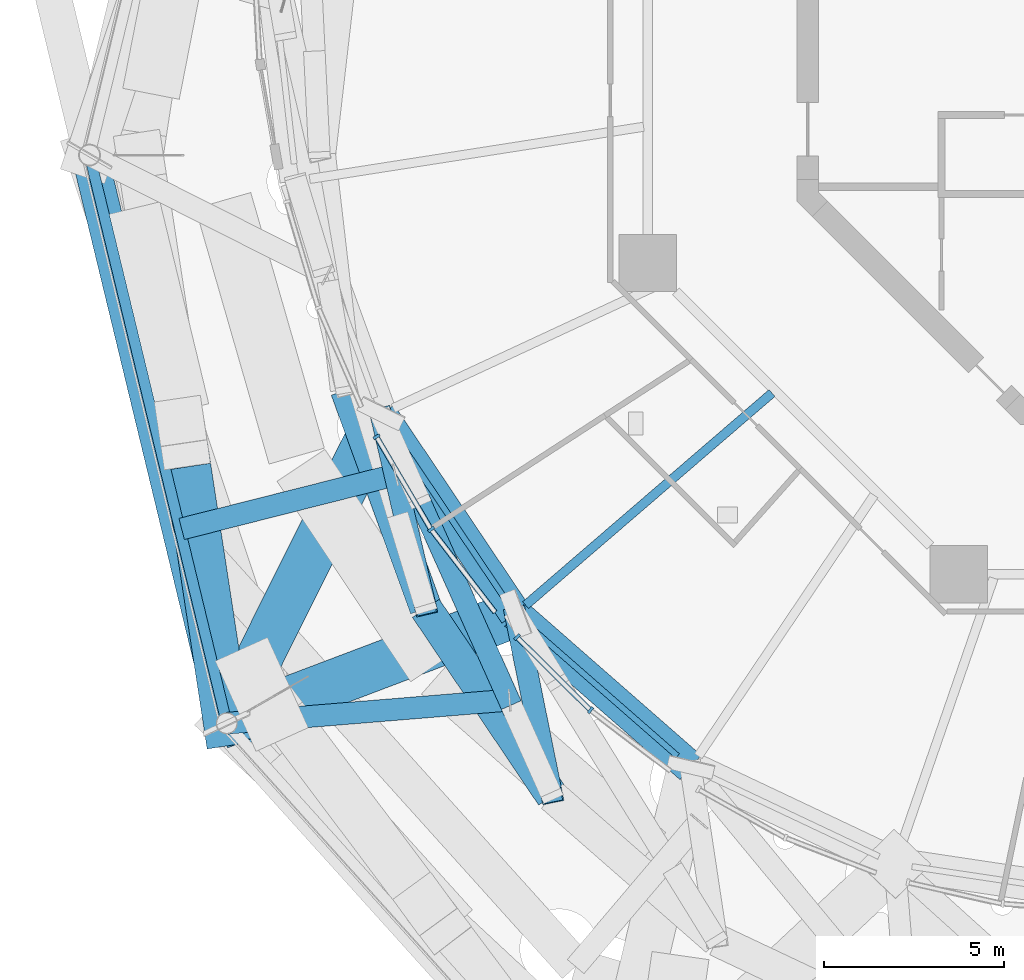
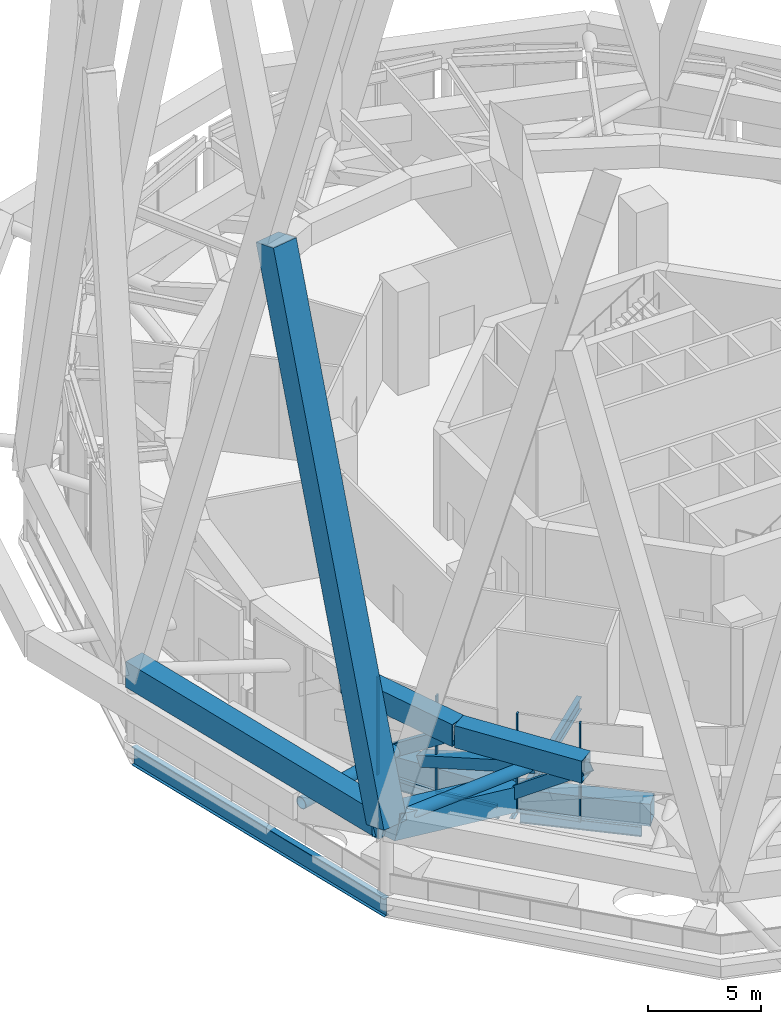
# One storey, part 4 of 48: 13 members, 11 beams, 4 elements without a shape of their own.
"""IFC4 building model written with IfcOpenShell, lengths in metres."""

from ifc_helpers import new_model, si_unit, direction, frame, origin, origin_2d, place, context, subcontext, project, spatial, rectangle, hollow_rectangle, hollow_circle, i_section, extrude, material, layer, layer_set, material_profile, profile_set, type_object, element, aggregate, save


model = new_model("IFC4")

# Units and contexts
model_context = context("Model", 3, precision=1e-05, world=origin(), true_north=direction((0.0, 1.0)))
body_context = subcontext(model_context, "Body", "Model", "MODEL_VIEW")
ifc_project = project(units=[si_unit("LENGTHUNIT", "METRE"), si_unit("AREAUNIT", "SQUARE_METRE"), si_unit("VOLUMEUNIT", "CUBIC_METRE"), si_unit("PLANEANGLEUNIT", "RADIAN"), si_unit("MASSUNIT", "GRAM", prefix="KILO")], contexts=[model_context])

# Site, building, storey
site_placement = place(None, origin())
site = spatial("IfcSite", under=ifc_project, at=site_placement, CompositionType="ELEMENT")
building_placement = place(site_placement, origin())
building = spatial("IfcBuilding", under=site, at=building_placement, Name="Nagisa Residences", CompositionType="ELEMENT")
storey_placement = place(building_placement, frame((0.0, 0.0, 252.89990234375)))
storey = spatial("IfcBuildingStorey", under=building, at=storey_placement, Name="L64", CompositionType="ELEMENT", Elevation=252.89990234375)

# Beams
ifc_material_1 = material(Name="Steel ASTM A572 Gr 50", Category="steel")
ifc_material_profile_1 = material_profile(ifc_material_1, hollow_rectangle(XDim=0.89990234375, YDim=1.199951171875, WallThickness=0.0400390625, at=origin_2d()), Name="BX 900x1200x40")
ifc_profile_set_1 = profile_set([ifc_material_profile_1], Name="Steel ASTM A572 Gr 50")
beam_type_1 = type_object("IfcBeamType", Name="Belt chord 5 BX 900x1200x40", PredefinedType="BEAM", material=ifc_profile_set_1)
beam_1_placement = place(storey_placement, frame((-23.166259765625, -9.650390625, 4.739990234375), z_axis=(0.341213297121, -0.939985896632, 0.0), x_axis=(0.939985896632, 0.341213297121, 0.0)))
element("IfcBeam", 1, at=beam_1_placement, inside=storey, type_object=beam_type_1, Name="beam:L64:bt5t14", PredefinedType="BEAM", context=body_context, shape_type="SweptSolid", body=[
    extrude(hollow_rectangle(XDim=0.89990234375, YDim=1.199951171875, WallThickness=0.0400390625, at=origin_2d()), origin(), (0.0, 0.0, 1.0), 6.47607421875),
])
beam_2_placement = place(storey_placement, frame((-22.212158203125, -10.327392578125, 0.60009765625), z_axis=(0.558086989811, -0.829782448479, 0.0), x_axis=(0.829782448479, 0.558086989811, 0.0)))
element("IfcBeam", 2, at=beam_2_placement, inside=storey, type_object=beam_type_1, Name="beam:L64:bt5b15", PredefinedType="BEAM", context=body_context, shape_type="SweptSolid", body=[
    extrude(hollow_rectangle(XDim=0.89990234375, YDim=1.199951171875, WallThickness=0.0400390625, at=origin_2d()), origin(), (0.0, 0.0, 1.0), 6.71142578125),
])
beam_3_placement = place(storey_placement, frame((-20.95654296875, -15.73779296875, 4.739990234375), z_axis=(0.558049586108, -0.829807603872, 0.0), x_axis=(0.829807603872, 0.558049586108, 0.0)))
element("IfcBeam", 3, at=beam_3_placement, inside=storey, type_object=beam_type_1, Name="beam:L64:bt5t15", PredefinedType="BEAM", context=body_context, shape_type="SweptSolid", body=[
    extrude(hollow_rectangle(XDim=0.89990234375, YDim=1.199951171875, WallThickness=0.0400390625, at=origin_2d()), origin(), (0.0, 0.0, 1.0), 6.29931640625),
])
beam_4_placement = place(storey_placement, frame((-18.466552734375, -15.896484375, 0.60009765625), z_axis=(0.752439140648, -0.658661779383, 0.0), x_axis=(0.658661779383, 0.752439140648, 0.0)))
element("IfcBeam", 4, at=beam_4_placement, inside=storey, type_object=beam_type_1, Name="beam:L64:bt5b16", PredefinedType="BEAM", context=body_context, shape_type="SweptSolid", body=[
    extrude(hollow_rectangle(XDim=0.89990234375, YDim=1.199951171875, WallThickness=0.0400390625, at=origin_2d()), origin(), (0.0, 0.0, 1.0), 6.48779296875),
])
ifc_material_2 = material(Name="Steel ASTM A572 Gr 50", Category="steel")
ifc_material_profile_2 = material_profile(ifc_material_2, hollow_rectangle(XDim=0.60009765625, YDim=0.60009765625, WallThickness=0.034912109375, at=origin_2d()), Name="BX 600x600x35")
ifc_profile_set_2 = profile_set([ifc_material_profile_2], Name="Steel ASTM A572 Gr 50")
beam_type_2 = type_object("IfcBeamType", Name="Belt diagonal 5 BX 600x600x35", PredefinedType="BEAM", material=ifc_profile_set_2)
beam_5_placement = place(storey_placement, frame((-22.212158203125, -10.327392578125, 0.60009765625), z_axis=(0.181255649538, -0.781024003386, 0.597618520167), x_axis=(0.974111894564, 0.226066399248, 0.0)))
element("IfcBeam", 5, at=beam_5_placement, inside=storey, type_object=beam_type_2, Name="beam:L64:bt5da15", PredefinedType="BEAM", context=body_context, shape_type="SweptSolid", body=[
    extrude(hollow_rectangle(XDim=0.60009765625, YDim=0.60009765625, WallThickness=0.034912109375, at=origin_2d()), origin(), (0.0, 0.0, 1.0), 6.92724609375),
])
beam_6_placement = place(storey_placement, frame((-21.117431640625, -12.768310546875, 1.550048828125), z_axis=(0.385652899522, -0.859822877456, 0.334628839901), x_axis=(0.912424119725, 0.409245923307, 0.0)))
element("IfcBeam", 6, at=beam_6_placement, inside=storey, type_object=beam_type_2, Name="beam:L64:bt5db15", PredefinedType="BEAM", context=body_context, shape_type="SweptSolid", body=[
    extrude(hollow_rectangle(XDim=0.60009765625, YDim=0.60009765625, WallThickness=0.034912109375, at=origin_2d()), origin(), (0.0, 0.0, 1.0), 6.69384765625),
])
beam_7_placement = place(storey_placement, frame((-18.466552734375, -15.896484375, 0.60009765625), z_axis=(0.154793132014, -0.765157193749, 0.624958842753), x_axis=(0.98014429828, 0.198285537921, 0.0)))
element("IfcBeam", 7, at=beam_7_placement, inside=storey, type_object=beam_type_2, Name="beam:L64:bt5da16", PredefinedType="BEAM", context=body_context, shape_type="SweptSolid", body=[
    extrude(hollow_rectangle(XDim=0.60009765625, YDim=0.60009765625, WallThickness=0.034912109375, at=origin_2d()), origin(), (0.0, 0.0, 1.0), 6.624267578125),
])

# Curtain wall, member
ifc_material_3 = material(Name="Aluminium curtain wall system", Category="aluminium")
ifc_layer = layer(ifc_material_3, 0.159912109375)
ifc_layer_set = layer_set([ifc_layer], Name="CW2 CURTAIN WALL")
curtain_wall_type = type_object("IfcCurtainWallType", Name="CW2 CURTAIN WALL", PredefinedType="NOTDEFINED", material=ifc_layer_set)
curtain_wall_1_placement = place(storey_placement, origin())
curtain_wall_1 = element("IfcCurtainWall", 8, at=curtain_wall_1_placement, inside=storey, type_object=curtain_wall_type, Name="cw:CW2:L64:28", PredefinedType="NOTDEFINED")
ifc_material_4 = material(Name="Aluminium", Category="aluminium")
ifc_material_profile_3 = material_profile(ifc_material_4, rectangle(XDim=0.199951171875, YDim=0.080078125, at=origin_2d()), Name="CW2 MULLION 200x80")
ifc_profile_set_3 = profile_set([ifc_material_profile_3], Name="Aluminium")
member_type_1 = type_object("IfcMemberType", Name="CW2 MULLION 200x80", PredefinedType="MULLION", material=ifc_profile_set_3)
member_1_placement = place(storey_placement, frame((-22.328125, -10.959228515625, 0.0), z_axis=(0.0, 0.0, 1.0), x_axis=(0.862328898214, 0.506348567002, 0.0)))
member_1 = element("IfcMember", 9, at=member_1_placement, type_object=member_type_1, Name="CW2 mullion", PredefinedType="MULLION", context=body_context, shape_type="SweptSolid", body=[
    extrude(rectangle(XDim=0.199951171875, YDim=0.080078125, at=origin_2d()), origin(), (0.0, 0.0, 1.0), 5.340087890625),
])

curtain_wall_2_placement = place(storey_placement, origin())
curtain_wall_2 = element("IfcCurtainWall", 10, at=curtain_wall_2_placement, inside=storey, type_object=curtain_wall_type, Name="cw:CW2:L64:29", PredefinedType="NOTDEFINED")
member_2_placement = place(storey_placement, frame((-20.808349609375, -13.5390625, 0.0), z_axis=(0.0, 0.0, 1.0), x_axis=(0.792070340816, 0.610429828235, 0.0)))
member_2 = element("IfcMember", 11, at=member_2_placement, type_object=member_type_1, Name="CW2 mullion", PredefinedType="MULLION", context=body_context, shape_type="SweptSolid", body=[
    extrude(rectangle(XDim=0.199951171875, YDim=0.080078125, at=origin_2d()), origin(), (0.0, 0.0, 1.0), 5.340087890625),
])

curtain_wall_3_placement = place(storey_placement, origin())
curtain_wall_3 = element("IfcCurtainWall", 12, at=curtain_wall_3_placement, inside=storey, type_object=curtain_wall_type, Name="cw:CW2:L64:30", PredefinedType="NOTDEFINED")
member_3_placement = place(storey_placement, frame((-18.416748046875, -16.53955078125, 0.0), z_axis=(0.0, 0.0, 1.0), x_axis=(0.706376885714, 0.707835924016, 0.0)))
member_3 = element("IfcMember", 13, at=member_3_placement, type_object=member_type_1, Name="CW2 mullion", PredefinedType="MULLION", context=body_context, shape_type="SweptSolid", body=[
    extrude(rectangle(XDim=0.199951171875, YDim=0.080078125, at=origin_2d()), origin(), (0.0, 0.0, 1.0), 5.340087890625),
])

curtain_wall_4_placement = place(storey_placement, origin())
curtain_wall_4 = element("IfcCurtainWall", 14, at=curtain_wall_4_placement, inside=storey, type_object=curtain_wall_type, Name="cw:CW2:L64:31", PredefinedType="NOTDEFINED")
member_4_placement = place(storey_placement, frame((-16.37255859375, -18.57275390625, 0.0), z_axis=(0.0, 0.0, 1.0), x_axis=(0.605255421737, 0.79603132756, 0.0)))
member_4 = element("IfcMember", 15, at=member_4_placement, type_object=member_type_1, Name="CW2 mullion", PredefinedType="MULLION", context=body_context, shape_type="SweptSolid", body=[
    extrude(rectangle(XDim=0.199951171875, YDim=0.080078125, at=origin_2d()), origin(), (0.0, 0.0, 1.0), 5.340087890625),
])
aggregate(curtain_wall_4, [member_4])

# Member
ifc_material_5 = material(Name="Aluminium", Category="aluminium")
ifc_material_profile_4 = material_profile(ifc_material_5, rectangle(XDim=0.139892578125, YDim=0.179931640625, at=origin_2d()), Name="CW2 TRANSOM 140x180")
ifc_profile_set_4 = profile_set([ifc_material_profile_4], Name="Aluminium")
member_type_2 = type_object("IfcMemberType", Name="CW2 TRANSOM 140x180", PredefinedType="USERDEFINED", material=ifc_profile_set_4)
member_5_placement = place(storey_placement, frame((-22.348388671875, -10.9248046875, 0.090087890625), z_axis=(0.506299099486, -0.862357943002, 0.0), x_axis=(0.862357943002, 0.506299099486, 0.0)))
member_5 = element("IfcMember", 16, at=member_5_placement, type_object=member_type_2, Name="CW2 transom", ObjectType="TRANSOM", PredefinedType="USERDEFINED", context=body_context, shape_type="SweptSolid", body=[
    extrude(rectangle(XDim=0.139892578125, YDim=0.179931640625, at=origin_2d()), origin(), (0.0, 0.0, 1.0), 3.004638671875),
])

aggregate(curtain_wall_1, [member_1, member_5])

member_6_placement = place(storey_placement, frame((-20.832763671875, -13.507568359375, 0.090087890625), z_axis=(0.610446226822, -0.792057702544, 0.0), x_axis=(0.792057702544, 0.610446226822, 0.0)))
member_6 = element("IfcMember", 17, at=member_6_placement, type_object=member_type_2, Name="CW2 transom", ObjectType="TRANSOM", PredefinedType="USERDEFINED", context=body_context, shape_type="SweptSolid", body=[
    extrude(rectangle(XDim=0.139892578125, YDim=0.179931640625, at=origin_2d()), origin(), (0.0, 0.0, 1.0), 2.95068359375),
])

aggregate(curtain_wall_2, [member_2, member_6])

member_7_placement = place(storey_placement, frame((-18.445068359375, -16.51123046875, 0.090087890625), z_axis=(0.707823435791, -0.706389399513, 0.0), x_axis=(0.706389399513, 0.707823435791, 0.0)))
member_7 = element("IfcMember", 18, at=member_7_placement, type_object=member_type_2, Name="CW2 transom", ObjectType="TRANSOM", PredefinedType="USERDEFINED", context=body_context, shape_type="SweptSolid", body=[
    extrude(rectangle(XDim=0.139892578125, YDim=0.179931640625, at=origin_2d()), origin(), (0.0, 0.0, 1.0), 2.894287109375),
])

aggregate(curtain_wall_3, [member_3, member_7])

# Members
ifc_material_6 = material(Name="Concrete C80", Category="concrete")
ifc_material_profile_5 = material_profile(ifc_material_6, rectangle(XDim=1.300048828125, YDim=1.300048828125, at=origin_2d()), Name="C80 1300x1300")
ifc_profile_set_5 = profile_set([ifc_material_profile_5], Name="Concrete C80")
member_type_3 = type_object("IfcMemberType", Name="Cage bracket 6 C80 1300x1300", PredefinedType="BRACE", material=ifc_profile_set_5)
member_8_placement = place(storey_placement, frame((-26.4990234375, -18.937744140625, 3.7001953125), z_axis=(0.879664422582, 0.333059168782, -0.339502715356), x_axis=(-0.354090338012, 0.935211223482, 0.0)))
element("IfcMember", 19, at=member_8_placement, inside=storey, type_object=member_type_3, Name="mem:L64:cg5ob01", PredefinedType="BRACE", context=body_context, shape_type="SweptSolid", body=[
    extrude(rectangle(XDim=1.300048828125, YDim=1.300048828125, at=origin_2d()), origin(), (0.0, 0.0, 1.0), 9.13134765625),
])
member_9_placement = place(storey_placement, frame((-26.4990234375, -18.937744140625, 3.7001953125), z_axis=(0.424201038243, 0.852025868032, -0.306766033579), x_axis=(-0.895187367188, 0.445690001714, 0.0)))
element("IfcMember", 20, at=member_9_placement, inside=storey, type_object=member_type_3, Name="mem:L64:cg5ob02", PredefinedType="BRACE", context=body_context, shape_type="SweptSolid", body=[
    extrude(rectangle(XDim=1.300048828125, YDim=1.300048828125, at=origin_2d()), origin(), (0.0, 0.0, 1.0), 10.105712890625),
])
ifc_material_7 = material(Name="Concrete C80", Category="concrete")
ifc_material_profile_6 = material_profile(ifc_material_7, rectangle(XDim=1.300048828125, YDim=1.300048828125, at=origin_2d()), Name="C80 1300x1300")
ifc_profile_set_6 = profile_set([ifc_material_profile_6], Name="Concrete C80")
member_type_4 = type_object("IfcMemberType", Name="Cage diagonal 6 C80 1300x1300", PredefinedType="BRACE", material=ifc_profile_set_6)
member_10_placement = place(storey_placement, frame((-26.4990234375, -18.937744140625, 3.7001953125), z_axis=(-0.04184536284, 0.273431572192, 0.960980822357), x_axis=(-0.988491479838, -0.151276549034, 0.0)))
element("IfcMember", 21, at=member_10_placement, inside=storey, type_object=member_type_4, Name="mem:L64:cg6d014a", PredefinedType="BRACE", context=body_context, shape_type="SweptSolid", body=[
    extrude(rectangle(XDim=1.300048828125, YDim=1.300048828125, at=origin_2d()), origin(), (0.0, 0.0, 1.0), 28.378173828125),
])
ifc_material_8 = material(Name="Concrete C80", Category="concrete")
ifc_material_profile_7 = material_profile(ifc_material_8, rectangle(XDim=1.0, YDim=1.39990234375, at=origin_2d()), Name="C80 1000x1400")
ifc_profile_set_7 = profile_set([ifc_material_profile_7], Name="Concrete C80")
member_type_5 = type_object("IfcMemberType", Name="Cage ring 6 C80 1000x1400", PredefinedType="CHORD", material=ifc_profile_set_7)
member_11_placement = place(storey_placement, frame((-30.320068359375, -3.11767578125, 3.7001953125), z_axis=(0.23478032632, -0.972048454745, 0.0), x_axis=(0.972048454745, 0.23478032632, 0.0)))
element("IfcMember", 22, at=member_11_placement, inside=storey, type_object=member_type_5, Name="beam:L64:cg6r007", PredefinedType="CHORD", context=body_context, shape_type="SweptSolid", body=[
    extrude(rectangle(XDim=1.0, YDim=1.39990234375, at=origin_2d()), origin(), (0.0, 0.0, 1.0), 16.27490234375),
])
ifc_material_9 = material(Name="Steel ASTM A572 Gr 65", Category="steel")
ifc_material_profile_8 = material_profile(ifc_material_9, hollow_circle(Radius=0.304931640625, WallThickness=0.02490234375, at=origin_2d()), Name="CHS 610x25")
ifc_profile_set_8 = profile_set([ifc_material_profile_8], Name="Steel ASTM A572 Gr 65")
member_type_6 = type_object("IfcMemberType", Name="Cage strut CHS 610x25", PredefinedType="STRUT", material=ifc_profile_set_8)
member_12_placement = place(storey_placement, frame((-27.7548828125, -13.52734375, 1.900146484375), z_axis=(0.969487051637, 0.245142523255, 0.0), x_axis=(-0.245142523255, 0.969487051637, 0.0)))
element("IfcMember", 23, at=member_12_placement, inside=storey, type_object=member_type_6, Name="mem:L64:bt5st5a08", PredefinedType="STRUT", context=body_context, shape_type="SweptSolid", body=[
    extrude(hollow_circle(Radius=0.304931640625, WallThickness=0.02490234375, at=origin_2d()), origin(), (0.0, 0.0, 1.0), 6.123779296875),
])
member_13_placement = place(storey_placement, frame((-26.4990234375, -18.937744140625, 3.7001953125), z_axis=(0.996649168692, 0.081795076531, 0.0), x_axis=(-0.081795076531, 0.996649168692, 0.0)))
element("IfcMember", 24, at=member_13_placement, inside=storey, type_object=member_type_6, Name="mem:L64:bt5st6b08", PredefinedType="STRUT", context=body_context, shape_type="SweptSolid", body=[
    extrude(hollow_circle(Radius=0.304931640625, WallThickness=0.02490234375, at=origin_2d()), origin(), (0.0, 0.0, 1.0), 7.8857421875),
])

# Beams
ifc_material_10 = material(Name="Steel ASTM A572 Gr 50", Category="steel")
ifc_material_profile_9 = material_profile(ifc_material_10, i_section(OverallWidth=0.300048828125, OverallDepth=0.97998046875, WebThickness=0.0166015625, FlangeThickness=0.02587890625, at=origin_2d()), Name="W1000x249")
ifc_profile_set_9 = profile_set([ifc_material_profile_9], Name="Steel ASTM A572 Gr 50")
beam_type_3 = type_object("IfcBeamType", Name="Deck edge beam W1000x249", PredefinedType="BEAM", material=ifc_profile_set_9)
beam_8_placement = place(storey_placement, frame((-30.320068359375, -3.11767578125, -0.889892578125), z_axis=(0.23478032632, -0.972048454745, 0.0), x_axis=(0.972048454745, 0.23478032632, 0.0)))
element("IfcBeam", 25, at=beam_8_placement, inside=storey, type_object=beam_type_3, Name="beam:L64:deckedge05", PredefinedType="BEAM", context=body_context, shape_type="SweptSolid", body=[
    extrude(i_section(OverallWidth=0.300048828125, OverallDepth=0.97998046875, WebThickness=0.0166015625, FlangeThickness=0.02587890625, at=origin_2d()), origin(), (0.0, 0.0, 1.0), 16.27490234375),
])
ifc_material_11 = material(Name="Steel ASTM A572 Gr 50", Category="steel")
ifc_material_profile_10 = material_profile(ifc_material_11, i_section(OverallWidth=0.166015625, OverallDepth=0.534912109375, WebThickness=0.01025390625, FlangeThickness=0.0166015625, at=origin_2d()), Name="W530x85")
ifc_profile_set_10 = profile_set([ifc_material_profile_10], Name="Steel ASTM A572 Gr 50")
beam_type_4 = type_object("IfcBeamType", Name="Perimeter ring beam W530x85", PredefinedType="BEAM", material=ifc_profile_set_10)
beam_9_placement = place(storey_placement, frame((-21.942138671875, -10.728759765625, -0.617431640625), z_axis=(0.558079852096, -0.829787249049, 0.0), x_axis=(0.829787249049, 0.558079852096, 0.0)))
element("IfcBeam", 26, at=beam_9_placement, inside=storey, type_object=beam_type_4, Name="beam:L64:pb15", PredefinedType="BEAM", context=body_context, shape_type="SweptSolid", body=[
    extrude(i_section(OverallWidth=0.166015625, OverallDepth=0.534912109375, WebThickness=0.01025390625, FlangeThickness=0.0166015625, at=origin_2d()), origin(), (0.0, 0.0, 1.0), 5.743408203125),
])
beam_10_placement = place(storey_placement, frame((-18.10205078125, -16.21533203125, -0.617431640625), z_axis=(0.75242320672, -0.65867998147, 0.0), x_axis=(0.65867998147, 0.75242320672, 0.0)))
element("IfcBeam", 27, at=beam_10_placement, inside=storey, type_object=beam_type_4, Name="beam:L64:pb16", PredefinedType="BEAM", context=body_context, shape_type="SweptSolid", body=[
    extrude(i_section(OverallWidth=0.166015625, OverallDepth=0.534912109375, WebThickness=0.01025390625, FlangeThickness=0.0166015625, at=origin_2d()), origin(), (0.0, 0.0, 1.0), 5.5185546875),
])
ifc_material_12 = material(Name="Steel ASTM A572 Gr 50", Category="steel")
ifc_material_profile_11 = material_profile(ifc_material_12, i_section(OverallWidth=0.2529296875, OverallDepth=0.677978515625, WebThickness=0.01171875, FlangeThickness=0.016357421875, at=origin_2d()), Name="W690x125")
ifc_profile_set_11 = profile_set([ifc_material_profile_11], Name="Steel ASTM A572 Gr 50")
beam_type_5 = type_object("IfcBeamType", Name="Radial beam W690x125", PredefinedType="BEAM", material=ifc_profile_set_11)
beam_11_placement = place(storey_placement, frame((-18.178466796875, -15.6484375, -0.68896484375), z_axis=(0.757878100084, 0.652396187461, 0.0), x_axis=(-0.652396187461, 0.757878100084, 0.0)))
element("IfcBeam", 28, at=beam_11_placement, inside=storey, type_object=beam_type_5, Name="beam:L64:rb16", PredefinedType="BEAM", context=body_context, shape_type="SweptSolid", body=[
    extrude(i_section(OverallWidth=0.2529296875, OverallDepth=0.677978515625, WebThickness=0.01171875, FlangeThickness=0.016357421875, at=origin_2d()), origin(), (0.0, 0.0, 1.0), 9.0498046875),
])

save(model, "model.ifc")
